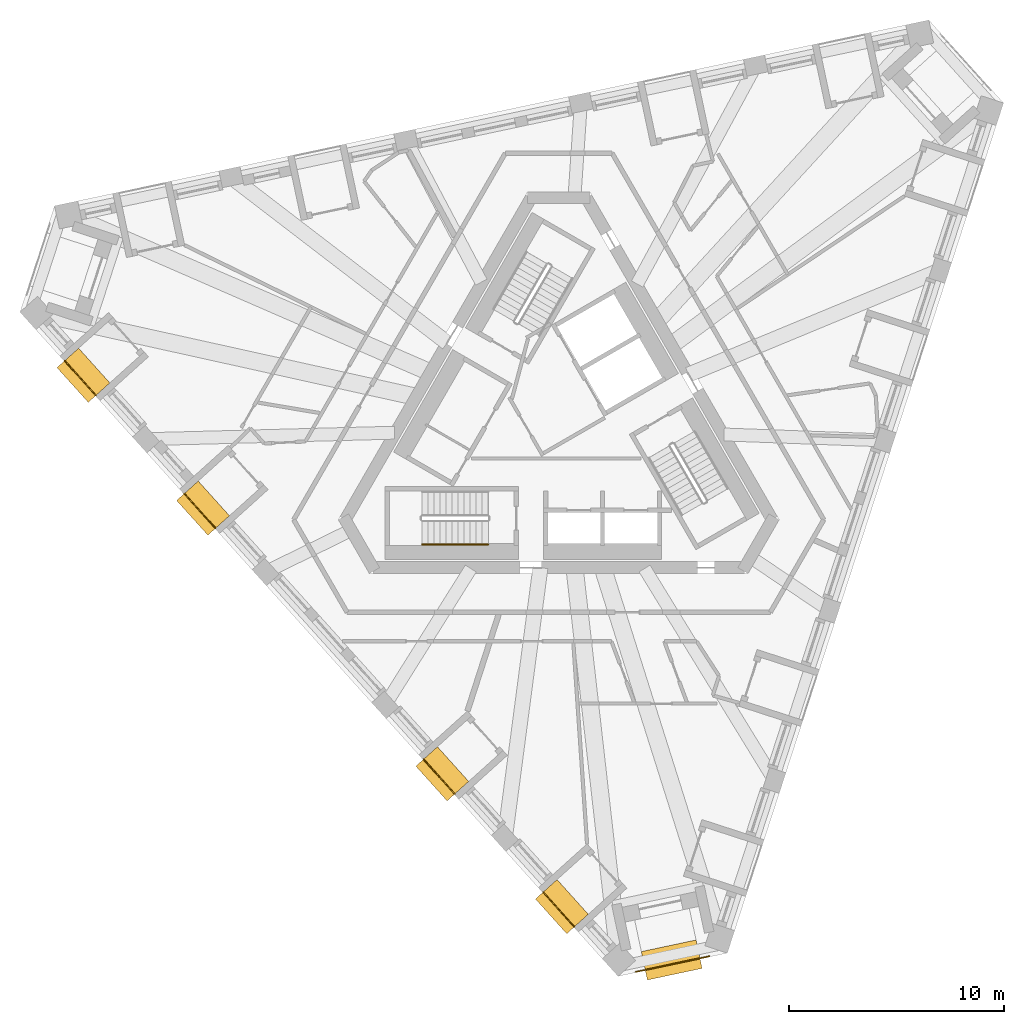
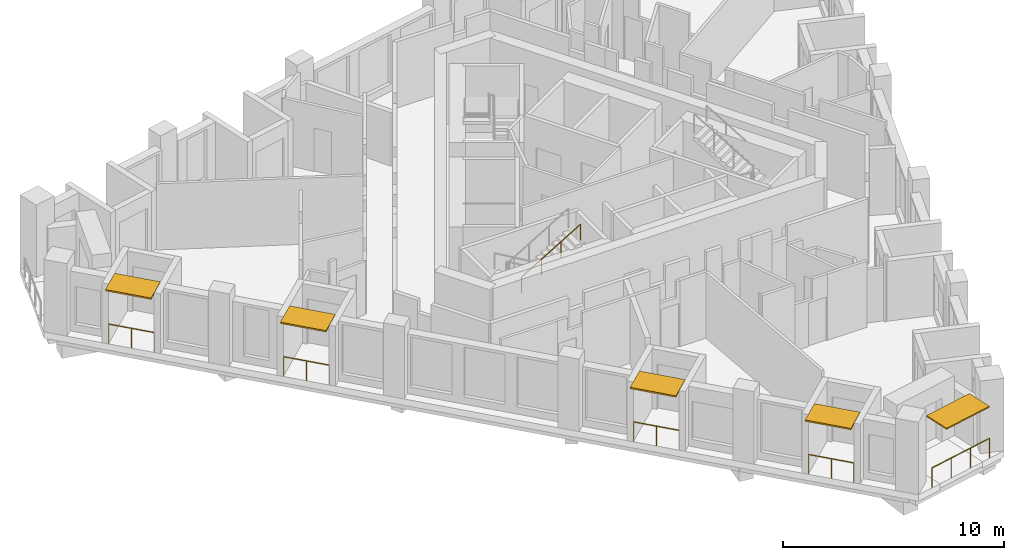
# One storey, part 9 of 12: 6 railings, 5 shading devices.
"""IFC4 building model written with IfcOpenShell, lengths in metres."""

import ifcopenshell
import ifcopenshell.guid

model = None  # the IFC model being written
_history = None  # IfcOwnerHistory: only IFC2X3 demands one
_inside = {}  # id of a spatial element -> (the spatial element, [elements in it])
_under = {}  # id of a project, library or spatial element -> (it, [spatial elements below it])
_declared = {}  # id of a project -> (the project, [libraries it declares])
_typed = {}  # id of a type object -> (the type object, [elements of that type])
_made_of = {}  # id of a material, layer set ... -> (it, [elements and type objects made of it])


def new_model(schema):
    """Start an empty IFC model of exactly this schema.

    Asked for "IFC4X3", IfcOpenShell would pick the latest addendum, in which some entities
    have other attributes; the version numbers below select the first issue.
    IFC2X3 requires an IfcOwnerHistory on every rooted entity: one is made here for all.
    """
    global model, _history
    if schema == "IFC4X3":
        model = ifcopenshell.file(schema_version=(4, 3, 0, 0))
    else:
        model = ifcopenshell.file(schema=schema)
    _inside.clear()
    _under.clear()
    _declared.clear()
    _typed.clear()
    _made_of.clear()
    _history = None
    if model.schema == "IFC2X3":
        org = make("IfcOrganization", Name="unknown")
        user = make(
            "IfcPersonAndOrganization",
            ThePerson=make("IfcPerson", FamilyName="unknown"),
            TheOrganization=org,
        )
        app = make(
            "IfcApplication",
            ApplicationDeveloper=org,
            Version="unknown",
            ApplicationFullName="unknown",
            ApplicationIdentifier="unknown",
        )
        _history = make(
            "IfcOwnerHistory",
            OwningUser=user,
            OwningApplication=app,
            ChangeAction="ADDED",
            CreationDate=0,
        )
    return model


def make(cls, **values):
    """One entity of the class cls with the attributes given. An attribute that is None is left unset."""
    return model.create_entity(
        cls, **{name: value for name, value in values.items() if value is not None}
    )


def rooted(cls, **values):
    """An entity with a GlobalId (a new one), such as an element, a storey or a relation."""
    return make(cls, GlobalId=ifcopenshell.guid.new(), OwnerHistory=_history, **values)


def si_unit(unit_type, name, prefix=None):
    """IfcSIUnit, for example si_unit("LENGTHUNIT", "METRE", prefix="MILLI")."""
    return make("IfcSIUnit", UnitType=unit_type, Prefix=prefix, Name=name)


def assignment(units):
    """IfcUnitAssignment: the units of a project."""
    return None if units is None else make("IfcUnitAssignment", Units=units)


def point(xyz):
    """IfcCartesianPoint."""
    return None if xyz is None else make("IfcCartesianPoint", Coordinates=xyz)


def direction(xyz):
    """IfcDirection."""
    return None if xyz is None else make("IfcDirection", DirectionRatios=xyz)


def frame(location, z_axis=None, x_axis=None):
    """IfcAxis2Placement3D, a coordinate frame: its origin and axes. An axis left out is left unset."""
    return make(
        "IfcAxis2Placement3D",
        Location=point(location),
        Axis=direction(z_axis),
        RefDirection=direction(x_axis),
    )


def frame_2d(location, x_axis=None):
    """IfcAxis2Placement2D, a coordinate frame in the plane: its origin and x axis."""
    return make(
        "IfcAxis2Placement2D", Location=point(location), RefDirection=direction(x_axis)
    )


def origin():
    """The frame at (0, 0, 0) with its axes left unset."""
    return frame((0.0, 0.0, 0.0))


def origin_2d():
    """The frame at (0, 0) in the plane with its x axis left unset."""
    return frame_2d((0.0, 0.0))


def place(relative_to, where):
    """IfcLocalPlacement: puts the frame where relative to a parent placement (None: the world)."""
    return make(
        "IfcLocalPlacement", PlacementRelTo=relative_to, RelativePlacement=where
    )


def context(
    kind, dimensions, precision=None, world=None, true_north=None, identifier=None
):
    """IfcGeometricRepresentationContext, for example the 3D "Model" context."""
    return make(
        "IfcGeometricRepresentationContext",
        ContextIdentifier=identifier,
        ContextType=kind,
        CoordinateSpaceDimension=dimensions,
        Precision=precision,
        WorldCoordinateSystem=world,
        TrueNorth=true_north,
    )


def subcontext(parent, identifier, kind, view, scale=None):
    """IfcGeometricRepresentationSubContext, for example "Body" below "Model"."""
    return make(
        "IfcGeometricRepresentationSubContext",
        ContextIdentifier=identifier,
        ContextType=kind,
        ParentContext=parent,
        TargetScale=scale,
        TargetView=view,
    )


def project(units=None, contexts=None):
    """IfcProject with its units and contexts."""
    return rooted(
        "IfcProject",
        Name="project",
        RepresentationContexts=contexts,
        UnitsInContext=assignment(units),
    )


def spatial(cls, under=None, at=None, **own):
    """A site, building, storey or space (cls), placed at a placement, below another one or the project."""
    s = rooted(cls, ObjectPlacement=at, **own)
    if under is not None:
        _under.setdefault(under.id(), (under, []))[1].append(s)
    return s


def profile(cls, at=None, kind="AREA", **sizes):
    """A parametric profile (cls). Its sizes go by their IFC names, for example OverallWidth=200.0."""
    return make(cls, ProfileType=kind, Position=at, **sizes)


def rectangle(**sizes):
    """IfcRectangleProfileDef."""
    return profile("IfcRectangleProfileDef", **sizes)


def circle(**sizes):
    """IfcCircleProfileDef."""
    return profile("IfcCircleProfileDef", **sizes)


def extrude(swept, where, along, depth):
    """IfcExtrudedAreaSolid: the profile swept, set in the frame where, extruded along a direction by depth."""
    return make(
        "IfcExtrudedAreaSolid",
        SweptArea=swept,
        Position=where,
        ExtrudedDirection=direction(along),
        Depth=depth,
    )


def shape(context_of_items, identifier, shape_type, items):
    """IfcShapeRepresentation: the items that make up one representation, for example the "Body"."""
    return make(
        "IfcShapeRepresentation",
        ContextOfItems=context_of_items,
        RepresentationIdentifier=identifier,
        RepresentationType=shape_type,
        Items=items,
    )


def material(Name=None, Category=None):
    """IfcMaterial."""
    return make("IfcMaterial", Name=Name, Category=Category)


def layer(
    of_material, thickness, ventilated=None, Name=None, Category=None, Priority=None
):
    """IfcMaterialLayer: one layer of a wall or slab, of a material (None: an air gap)."""
    return make(
        "IfcMaterialLayer",
        Material=of_material,
        LayerThickness=thickness,
        IsVentilated=ventilated,
        Name=Name,
        Category=Category,
        Priority=Priority,
    )


def layer_set(layers, Name=None):
    """IfcMaterialLayerSet."""
    return make("IfcMaterialLayerSet", MaterialLayers=layers, LayerSetName=Name)


def made_of(thing, what):
    """Note that an element or type object is made of a material, layer set ...; save() writes the relation."""
    if what is not None:
        _made_of.setdefault(what.id(), (what, []))[1].append(thing)
    return thing


def type_object(cls, material=None, **own):
    """A type object (cls), such as IfcWallType, which elements share."""
    return made_of(rooted(cls, **own), material)


def element(
    cls,
    number,
    at=None,
    inside=None,
    cuts=None,
    type_object=None,
    material=None,
    context=None,
    identifier="Body",
    shape_type=None,
    held_by="IfcProductDefinitionShape",
    body=None,
    shapes=None,
    **own,
):
    """One element of the class cls, such as IfcWall. Its Tag is "e" and its number.

    at: its placement. inside: the storey or other place that contains it. cuts: it is an
    opening in that element (IfcRelVoidsElement). A single representation is given by context,
    identifier, shape_type and body (its items); several are given by shapes. held_by: the class
    of the entity that holds the representations. save() writes the other relations.
    """
    e = rooted(cls, Tag="e%d" % number, ObjectPlacement=at, **own)
    if body is not None:
        shapes = [shape(context, identifier, shape_type, body)]
    if shapes is not None:
        e.Representation = make(held_by, Representations=shapes)
    if inside is not None:
        _inside.setdefault(inside.id(), (inside, []))[1].append(e)
    if cuts is not None:
        rooted(
            "IfcRelVoidsElement", RelatingBuildingElement=cuts, RelatedOpeningElement=e
        )
    if type_object is not None:
        _typed.setdefault(type_object.id(), (type_object, []))[1].append(e)
    return made_of(e, material)


def aggregate(whole, parts):
    """IfcRelAggregates: a whole, such as a stair, and the parts it consists of."""
    return rooted("IfcRelAggregates", RelatingObject=whole, RelatedObjects=parts)


def save(model, path):
    """Write the relations noted so far, then the file.

    IfcRelAggregates (storeys below a building ...), IfcRelContainedInSpatialStructure (elements
    in a storey), IfcRelDefinesByType, IfcRelAssociatesMaterial and IfcRelDeclares: one each for
    every whole, place, type object, material and project.
    """
    for whole, parts in _under.values():
        aggregate(whole, parts)
    for where, things in _inside.values():
        rooted(
            "IfcRelContainedInSpatialStructure",
            RelatedElements=things,
            RelatingStructure=where,
        )
    for kind, things in _typed.values():
        rooted("IfcRelDefinesByType", RelatedObjects=things, RelatingType=kind)
    for what, things in _made_of.values():
        rooted("IfcRelAssociatesMaterial", RelatedObjects=things, RelatingMaterial=what)
    for by, libraries in _declared.values():
        rooted("IfcRelDeclares", RelatingContext=by, RelatedDefinitions=libraries)
    model.write(path)


model = new_model("IFC4")

# Units and contexts
model_context = context("Model", 3, precision=1e-05, world=origin(), true_north=direction((0.0, 1.0)))
body_context = subcontext(model_context, "Body", "Model", "MODEL_VIEW")
ifc_project = project(units=[si_unit("LENGTHUNIT", "METRE"), si_unit("AREAUNIT", "SQUARE_METRE"), si_unit("VOLUMEUNIT", "CUBIC_METRE"), si_unit("PLANEANGLEUNIT", "RADIAN"), si_unit("MASSUNIT", "GRAM", prefix="KILO")], contexts=[model_context])

# Site, building, storey
site_placement = place(None, origin())
site = spatial("IfcSite", under=ifc_project, at=site_placement, CompositionType="ELEMENT")
building_placement = place(site_placement, origin())
building = spatial("IfcBuilding", under=site, at=building_placement, Name="Tramontana Tower", CompositionType="ELEMENT")
storey_placement = place(building_placement, frame((0.0, 0.0, 336.39990234375)))
storey = spatial("IfcBuildingStorey", under=building, at=storey_placement, Name="L77", CompositionType="ELEMENT", Elevation=336.39990234375)

# Railings
ifc_material_1 = material(Name="Laminated glass balustrade", Category="glass")
railing_type_1 = type_object("IfcRailingType", Name="GD1 Loggia glass balustrade 1100", PredefinedType="BALUSTRADE", material=ifc_material_1)
railing_1_placement = place(storey_placement, frame((-22.977294921875, 3.146728515625, 0.0)))
element("IfcRailing", 1, at=railing_1_placement, inside=storey, type_object=railing_type_1, Name="Loggia balustrade L77 G8S0.1", PredefinedType="BALUSTRADE", context=body_context, shape_type="SweptSolid", body=[
    extrude(circle(Radius=0.02392578125, at=origin_2d()), frame((0.0, 0.0, 1.076171875), z_axis=(0.669082765552, -0.743187898745, 0.0), x_axis=(0.743187898745, 0.669082765552, 0.0)), (0.0, 0.0, 1.0), 2.171142578125),
    extrude(circle(Radius=0.02099609375, at=origin_2d()), origin(), (0.0, 0.0, 1.0), 1.052001953125),
    extrude(circle(Radius=0.02099609375, at=origin_2d()), frame((0.726318359375, -0.806640625, 0.0)), (0.0, 0.0, 1.0), 1.052001953125),
    extrude(circle(Radius=0.02099609375, at=origin_2d()), frame((1.45263671875, -1.613525390625, 0.0)), (0.0, 0.0, 1.0), 1.052001953125),
])
for number, where, name in (
    (2, (-17.414306640625, -3.03173828125, 0.0), "Loggia balustrade L77 G8S0.4"),
    (3, (-6.288330078125, -15.388427734375, 0.0), "Loggia balustrade L77 G8S0.10"),
):
    element("IfcRailing", number, at=place(storey_placement, frame(where)), inside=storey, type_object=railing_type_1, Name=name, PredefinedType="BALUSTRADE", context=body_context, shape_type="SweptSolid", body=[
        extrude(circle(Radius=0.02392578125, at=origin_2d()), frame((0.0, 0.0, 1.076171875), z_axis=(0.669144868344, -0.743131983681, 0.0), x_axis=(0.743131983681, 0.669144868344, 0.0)), (0.0, 0.0, 1.0), 2.171142578125),
        extrude(circle(Radius=0.02099609375, at=origin_2d()), origin(), (0.0, 0.0, 1.0), 1.052001953125),
        extrude(circle(Radius=0.02099609375, at=origin_2d()), frame((0.7265625, -0.806640625, 0.0)), (0.0, 0.0, 1.0), 1.052001953125),
        extrude(circle(Radius=0.02099609375, at=origin_2d()), frame((1.452880859375, -1.613525390625, 0.0)), (0.0, 0.0, 1.0), 1.052001953125),
    ])
railing_2_placement = place(storey_placement, frame((-0.72509765625, -21.56689453125, 0.0)))
element("IfcRailing", 4, at=railing_2_placement, inside=storey, type_object=railing_type_1, Name="Loggia balustrade L77 G8S0.13", PredefinedType="BALUSTRADE", context=body_context, shape_type="SweptSolid", body=[
    extrude(circle(Radius=0.02392578125, at=origin_2d()), frame((0.0, 0.0, 1.076171875), z_axis=(0.669082765552, -0.743187898745, 0.0), x_axis=(0.743187898745, 0.669082765552, 0.0)), (0.0, 0.0, 1.0), 2.171142578125),
    extrude(circle(Radius=0.02099609375, at=origin_2d()), origin(), (0.0, 0.0, 1.0), 1.052001953125),
    extrude(circle(Radius=0.02099609375, at=origin_2d()), frame((0.726318359375, -0.806640625, 0.0)), (0.0, 0.0, 1.0), 1.052001953125),
    extrude(circle(Radius=0.02099609375, at=origin_2d()), frame((1.45263671875, -1.613525390625, 0.0)), (0.0, 0.0, 1.0), 1.052001953125),
])
railing_3_placement = place(storey_placement, frame((7.00732421875, -24.549560546875, 0.0)))
element("IfcRailing", 5, at=railing_3_placement, inside=storey, type_object=railing_type_1, Name="Corner loggia balustrade L77 K81", PredefinedType="BALUSTRADE", context=body_context, shape_type="SweptSolid", body=[
    extrude(circle(Radius=0.02392578125, at=origin_2d()), frame((0.0, 0.0, 1.076171875), z_axis=(-0.978143070564, -0.20793300245, 0.0), x_axis=(0.20793300245, -0.978143070564, 0.0)), (0.0, 0.0, 1.0), 3.5),
    extrude(circle(Radius=0.02099609375, at=origin_2d()), origin(), (0.0, 0.0, 1.0), 1.052001953125),
    extrude(circle(Radius=0.02099609375, at=origin_2d()), frame((-1.14111328125, -0.24267578125, 0.0)), (0.0, 0.0, 1.0), 1.052001953125),
    extrude(circle(Radius=0.02099609375, at=origin_2d()), frame((-2.282470703125, -0.485107421875, 0.0)), (0.0, 0.0, 1.0), 1.052001953125),
    extrude(circle(Radius=0.02099609375, at=origin_2d()), frame((-3.423583984375, -0.727783203125, 0.0)), (0.0, 0.0, 1.0), 1.052001953125),
])

# Shading devices
ifc_material_2 = material(Name="Precast concrete 60 MPa", Category="concrete")
ifc_layer_1 = layer(ifc_material_2, 0.070068359375)
ifc_layer_set_1 = layer_set([ifc_layer_1], Name="SS2 Stone sunshade blade 70")
shading_device_type_1 = type_object("IfcShadingDeviceType", Name="SS2 Stone sunshade blade 70", PredefinedType="USERDEFINED", material=ifc_layer_set_1)
shading_device_placement = place(storey_placement, frame((5.2548828125, -24.72265625, 3.22998046875), z_axis=(0.0, 0.0, 1.0), x_axis=(-0.978147600734, -0.207911690818, 0.0)))
element("IfcShadingDevice", 6, at=shading_device_placement, inside=storey, type_object=shading_device_type_1, Name="Corner sunshade L77 K81", ObjectType="SUNSHADE", PredefinedType="USERDEFINED", context=body_context, shape_type="SweptSolid", body=[
    extrude(rectangle(XDim=2.60009765625, YDim=1.35009765625, at=origin_2d()), origin(), (0.0, 0.0, 1.0), 0.070068359375),
])
ifc_material_3 = material(Name="Precast concrete 60 MPa", Category="concrete")
ifc_layer_2 = layer(ifc_material_3, 0.080078125)
ifc_layer_set_2 = layer_set([ifc_layer_2], Name="SS3 Stone sunshade blade 80")
shading_device_type_2 = type_object("IfcShadingDeviceType", Name="SS3 Stone sunshade blade 80", PredefinedType="USERDEFINED", material=ifc_layer_set_2)
for number, where, z_axis, x_axis, name in (
    (7, (-22.10595703125, 2.470458984375, 3.219970703125), (0.0, 0.0, 1.0), (0.669130606359, -0.743144825477, 0.0), "Sunshade L77 G8S0.1"),
    (8, (-16.54296875, -3.7080078125, 3.219970703125), (0.0, 0.0, 1.0), (0.669130606359, -0.743144825477, 0.0), "Sunshade L77 G8S0.4"),
    (9, (-5.4169921875, -16.064697265625, 3.219970703125), (0.0, 0.0, 1.0), (0.669130606359, -0.743144825477, 0.0), "Sunshade L77 G8S0.10"),
    (10, (0.146240234375, -22.2431640625, 3.219970703125), (0.0, 0.0, 1.0), (0.669130606359, -0.743144825477, 0.0), "Sunshade L77 G8S0.13"),
):
    element("IfcShadingDevice", number, at=place(storey_placement, frame(where, z_axis=z_axis, x_axis=x_axis)), inside=storey, type_object=shading_device_type_2, Name=name, ObjectType="SUNSHADE", PredefinedType="USERDEFINED", context=body_context, shape_type="SweptSolid", body=[
        extrude(rectangle(XDim=2.17138671875, YDim=1.35009765625, at=origin_2d()), origin(), (0.0, 0.0, 1.0), 0.080078125),
    ])

# Railing
ifc_material_4 = material(Name="Painted steel", Category="steel")
railing_type_2 = type_object("IfcRailingType", Name="STAIR HANDRAIL 900", PredefinedType="HANDRAIL", material=ifc_material_4)
railing_4_placement = place(storey_placement, frame((-6.360107421875, -5.39990234375, 2.166748046875)))
element("IfcRailing", 11, at=railing_4_placement, inside=storey, type_object=railing_type_2, Name="L77 ST2 stair handrail 2", PredefinedType="HANDRAIL", context=body_context, shape_type="SweptSolid", body=[
    extrude(circle(Radius=0.02392578125, at=origin_2d()), frame((0.0, 0.0, 0.8759765625), z_axis=(0.859308565015, 0.0, 0.511457515432), x_axis=(0.0, 1.0, 0.0)), (0.0, 0.0, 1.0), 3.58447265625),
    extrude(circle(Radius=0.02099609375, at=origin_2d()), origin(), (0.0, 0.0, 1.0), 0.851806640625),
    extrude(circle(Radius=0.02099609375, at=origin_2d()), frame((1.026611328125, 0.0, 0.611083984375)), (0.0, 0.0, 1.0), 0.851806640625),
    extrude(circle(Radius=0.02099609375, at=origin_2d()), frame((2.053466796875, 0.0, 1.22216796875)), (0.0, 0.0, 1.0), 0.851806640625),
    extrude(circle(Radius=0.02099609375, at=origin_2d()), frame((3.080078125, 0.0, 1.833251953125)), (0.0, 0.0, 1.0), 0.851806640625),
])

save(model, "model.ifc")
